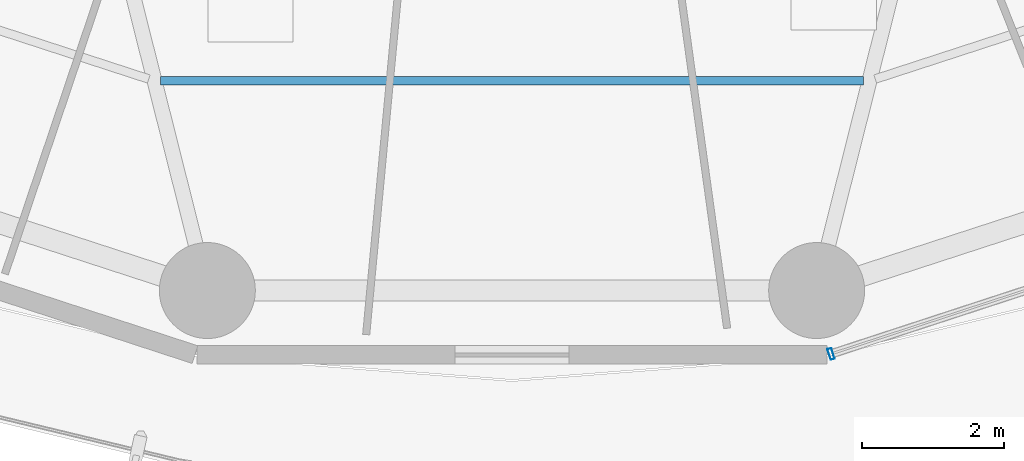
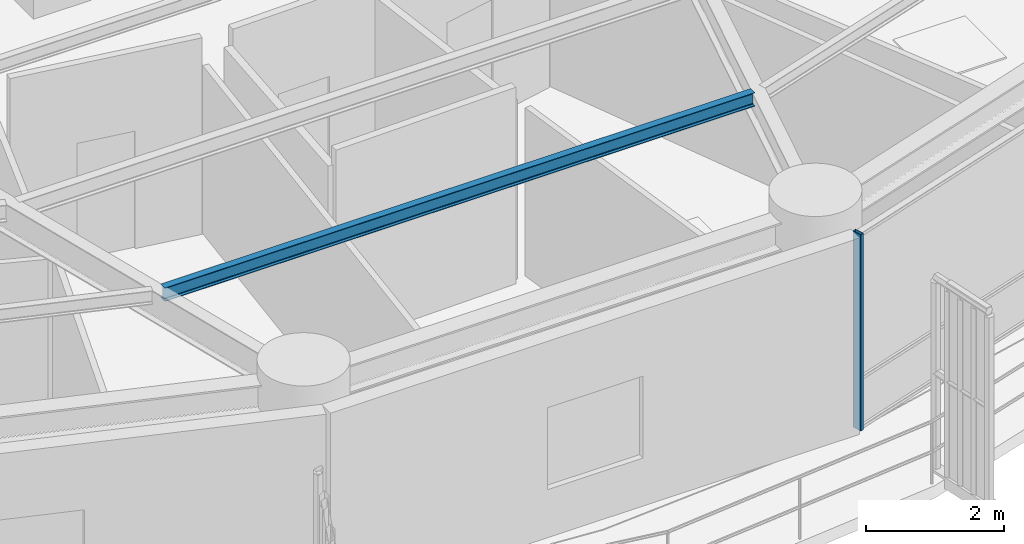
# One storey, part 4 of 35: 1 beam, 1 member, 1 element without a shape of its own.
"""IFC4 building model written with IfcOpenShell, lengths in metres."""

from ifc_helpers import new_model, si_unit, direction, frame, origin, origin_2d, place, context, subcontext, project, spatial, hollow_rectangle, i_section, extrude, material, layer, layer_set, material_profile, profile_set, type_object, element, aggregate, save


model = new_model("IFC4")

# Units and contexts
model_context = context("Model", 3, precision=1e-05, world=origin(), true_north=direction((0.0, 1.0)))
body_context = subcontext(model_context, "Body", "Model", "MODEL_VIEW")
ifc_project = project(units=[si_unit("LENGTHUNIT", "METRE"), si_unit("AREAUNIT", "SQUARE_METRE"), si_unit("VOLUMEUNIT", "CUBIC_METRE"), si_unit("PLANEANGLEUNIT", "RADIAN"), si_unit("MASSUNIT", "GRAM", prefix="KILO")], contexts=[model_context])

# Site, building, storey
site_placement = place(None, origin())
site = spatial("IfcSite", under=ifc_project, at=site_placement, CompositionType="ELEMENT")
building_placement = place(site_placement, origin())
building = spatial("IfcBuilding", under=site, at=building_placement, Name="Kelanora Arch Commons", CompositionType="ELEMENT")
storey_placement = place(building_placement, frame((0.0, 0.0, 95.10009765625)))
storey = spatial("IfcBuildingStorey", under=building, at=storey_placement, Name="L24", CompositionType="ELEMENT", Elevation=95.10009765625)

# Beam
ifc_material_1 = material(Name="Steel S355", Category="steel")
ifc_material_profile_1 = material_profile(ifc_material_1, i_section(OverallWidth=0.1201171875, OverallDepth=0.239990234375, WebThickness=0.006103515625, FlangeThickness=0.009765625, FilletRadius=0.014892578125, at=origin_2d()), Name="IPE240")
ifc_profile_set_1 = profile_set([ifc_material_profile_1], Name="Steel S355")
beam_type = type_object("IfcBeamType", Name="BM-JST-02", PredefinedType="JOIST", material=ifc_profile_set_1)
beam_placement = place(storey_placement, frame((69.056396484375, 39.204345703125, 3.369873046875), z_axis=(1.0, 0.0, 0.0), x_axis=(0.0, 1.0, 0.0)))
element("IfcBeam", 1, at=beam_placement, inside=storey, type_object=beam_type, Name="Secondary Chord Joist BJC-26 L24", PredefinedType="JOIST", context=body_context, shape_type="SweptSolid", body=[
    extrude(i_section(OverallWidth=0.1201171875, OverallDepth=0.239990234375, WebThickness=0.006103515625, FlangeThickness=0.009765625, FilletRadius=0.014892578125, at=origin_2d()), origin(), (0.0, 0.0, 1.0), 9.88720703125),
])

# Curtain wall, member
ifc_material_2 = material(Name="Terracotta ceramic-fritted low-E glass and aluminium", Category="masonry")
ifc_layer = layer(ifc_material_2, 0.159912109375)
ifc_layer_set = layer_set([ifc_layer], Name="Terracotta ceramic-fritted low-E glass and aluminium")
curtain_wall_type = type_object("IfcCurtainWallType", Name="CW-SYS-01", PredefinedType="NOTDEFINED", material=ifc_layer_set)
curtain_wall_placement = place(storey_placement, origin())
curtain_wall = element("IfcCurtainWall", 2, at=curtain_wall_placement, inside=storey, type_object=curtain_wall_type, Name="Unitised Curtain Wall L24-B14", PredefinedType="NOTDEFINED")
ifc_material_3 = material(Name="Powder-coated aluminium terracotta", Category="masonry")
ifc_material_profile_2 = material_profile(ifc_material_3, hollow_rectangle(XDim=0.159912109375, YDim=0.06005859375, WallThickness=0.0048828125, InnerFilletRadius=0.0048828125, OuterFilletRadius=0.010009765625, at=origin_2d()), Name="CWM160x60")
ifc_profile_set_2 = profile_set([ifc_material_profile_2], Name="Powder-coated aluminium terracotta")
member_type = type_object("IfcMemberType", Name="CWM-STD", PredefinedType="MULLION", material=ifc_profile_set_2)
member_placement = place(storey_placement, frame((78.48828125, 35.363525390625, 0.0), z_axis=(0.0, 0.0, 1.0), x_axis=(-0.31080470294, 0.950473795867, 0.0)))
member = element("IfcMember", 3, at=member_placement, type_object=member_type, Name="CW-01 mullion 1", PredefinedType="MULLION", context=body_context, shape_type="SweptSolid", body=[
    extrude(hollow_rectangle(XDim=0.159912109375, YDim=0.06005859375, WallThickness=0.0048828125, InnerFilletRadius=0.0048828125, OuterFilletRadius=0.010009765625, at=origin_2d()), origin(), (0.0, 0.0, 1.0), 3.474853515625),
])
aggregate(curtain_wall, [member])

save(model, "model.ifc")
